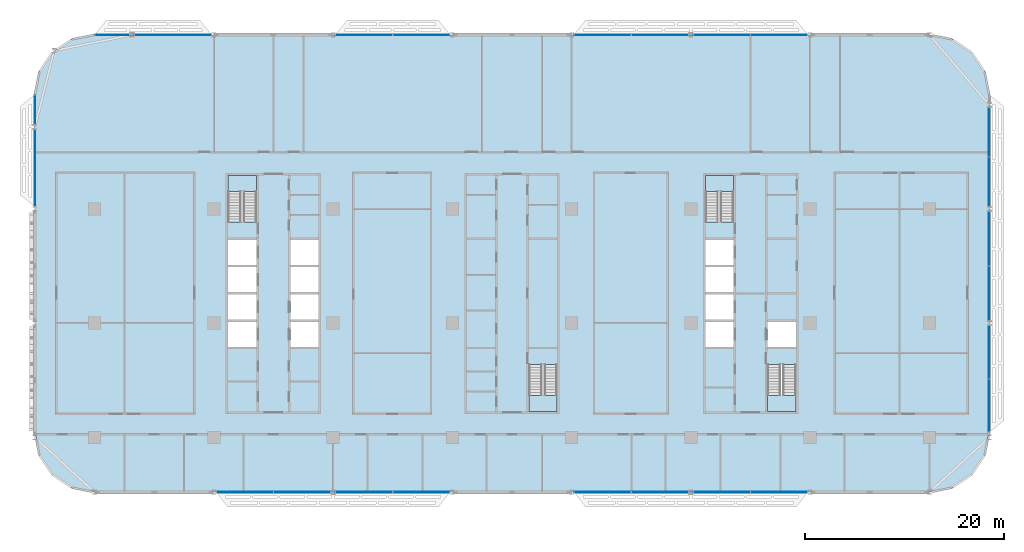
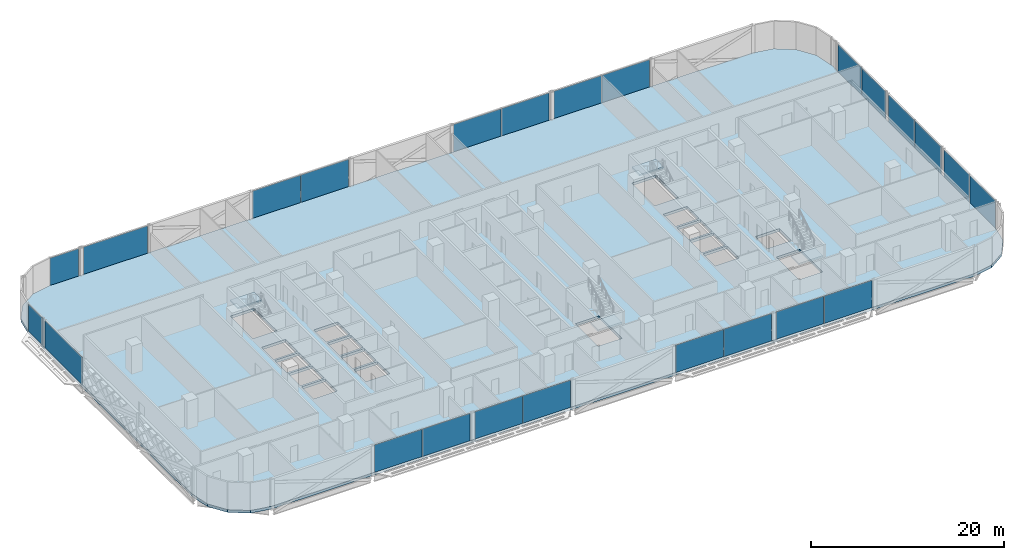
# One storey, part 11 of 29: 24 plates, 5 slabs, 18 elements without a shape of their own.
"""IFC4 building model written with IfcOpenShell, lengths in metres."""

from ifc_helpers import new_model, si_unit, direction, frame, origin, origin_2d, place, context, subcontext, project, spatial, polyline, rectangle, outline, extrude, material, layer, layer_set, type_object, element, aggregate, save


model = new_model("IFC4")

# Units and contexts
model_context = context("Model", 3, precision=1e-05, world=origin(), true_north=direction((0.0, 1.0)))
body_context = subcontext(model_context, "Body", "Model", "MODEL_VIEW")
ifc_project = project(units=[si_unit("LENGTHUNIT", "METRE"), si_unit("AREAUNIT", "SQUARE_METRE"), si_unit("VOLUMEUNIT", "CUBIC_METRE"), si_unit("PLANEANGLEUNIT", "RADIAN"), si_unit("MASSUNIT", "GRAM", prefix="KILO")], contexts=[model_context])

# Site, building, storey
site_placement = place(None, origin())
site = spatial("IfcSite", under=ifc_project, at=site_placement, CompositionType="ELEMENT")
building_placement = place(site_placement, origin())
building = spatial("IfcBuilding", under=site, at=building_placement, Name="Mahtab Terrace Research Tower", CompositionType="ELEMENT")
storey_placement = place(building_placement, frame((0.0, 0.0, 150.699951171875)))
storey = spatial("IfcBuildingStorey", under=building, at=storey_placement, Name="L35", CompositionType="ELEMENT", Elevation=150.699951171875)

# Stair, slab
ifc_material_1 = material(Name="Exit stair half-turn")
stair_type = type_object("IfcStairType", Name="Exit stair half-turn", PredefinedType="HALF_TURN_STAIR", material=ifc_material_1)
stair_1_placement = place(storey_placement, origin())
stair_1 = element("IfcStair", 1, at=stair_1_placement, inside=storey, type_object=stair_type, Name="L35 Protected exit stair ST1", PredefinedType="HALF_TURN_STAIR")
ifc_material_2 = material(Name="Concrete C40/50", Category="concrete")
ifc_layer_1 = layer(ifc_material_2, 0.199951171875)
ifc_layer_set_1 = layer_set([ifc_layer_1], Name="Exit stair landing 200")
slab_type_1 = type_object("IfcSlabType", Name="Exit stair landing 200", PredefinedType="LANDING", material=ifc_layer_set_1)
slab_1_placement = place(storey_placement, frame((0.0, 0.0, 1.85009765625)))
slab_1 = element("IfcSlab", 2, at=slab_1_placement, type_object=slab_type_1, Name="ST1 landing 1", PredefinedType="LANDING", context=body_context, shape_type="SweptSolid", body=[
    extrude(outline(polyline([(-25.699951171875, 13.2548828125), (-25.699951171875, 14.875), (-28.550048828125, 14.875), (-28.550048828125, 13.2548828125), (-25.699951171875, 13.2548828125)])), origin(), (0.0, 0.0, 1.0), 0.199951171875),
])
aggregate(stair_1, [slab_1])

stair_2_placement = place(storey_placement, origin())
stair_2 = element("IfcStair", 3, at=stair_2_placement, inside=storey, type_object=stair_type, Name="L35 Protected exit stair ST2", PredefinedType="HALF_TURN_STAIR")
slab_2_placement = place(storey_placement, frame((0.0, 0.0, 1.85009765625)))
slab_2 = element("IfcSlab", 4, at=slab_2_placement, type_object=slab_type_1, Name="ST2 landing 1", PredefinedType="LANDING", context=body_context, shape_type="SweptSolid", body=[
    extrude(outline(polyline([(1.699951171875, -7.2548828125), (1.699951171875, -8.875), (4.550048828125, -8.875), (4.550048828125, -7.2548828125), (1.699951171875, -7.2548828125)])), origin(), (0.0, 0.0, 1.0), 0.199951171875),
])
aggregate(stair_2, [slab_2])

stair_3_placement = place(storey_placement, origin())
stair_3 = element("IfcStair", 5, at=stair_3_placement, inside=storey, type_object=stair_type, Name="L35 Protected exit stair ST3", PredefinedType="HALF_TURN_STAIR")
slab_3_placement = place(storey_placement, frame((0.0, 0.0, 1.85009765625)))
slab_3 = element("IfcSlab", 6, at=slab_3_placement, type_object=slab_type_1, Name="ST3 landing 1", PredefinedType="LANDING", context=body_context, shape_type="SweptSolid", body=[
    extrude(outline(polyline([(22.300048828125, 13.2548828125), (22.300048828125, 14.875), (19.449951171875, 14.875), (19.449951171875, 13.2548828125), (22.300048828125, 13.2548828125)])), origin(), (0.0, 0.0, 1.0), 0.199951171875),
])
aggregate(stair_3, [slab_3])

stair_4_placement = place(storey_placement, origin())
stair_4 = element("IfcStair", 7, at=stair_4_placement, inside=storey, type_object=stair_type, Name="L35 Protected exit stair ST4", PredefinedType="HALF_TURN_STAIR")
slab_4_placement = place(storey_placement, frame((0.0, 0.0, 1.85009765625)))
slab_4 = element("IfcSlab", 8, at=slab_4_placement, type_object=slab_type_1, Name="ST4 landing 1", PredefinedType="LANDING", context=body_context, shape_type="SweptSolid", body=[
    extrude(outline(polyline([(25.699951171875, -7.2548828125), (25.699951171875, -8.875), (28.550048828125, -8.875), (28.550048828125, -7.2548828125), (25.699951171875, -7.2548828125)])), origin(), (0.0, 0.0, 1.0), 0.199951171875),
])
aggregate(stair_4, [slab_4])

# Curtain wall, plates
ifc_material_3 = material(Name="Laboratory ribbon curtain wall")
curtain_wall_type = type_object("IfcCurtainWallType", Name="Laboratory ribbon curtain wall", PredefinedType="NOTDEFINED", material=ifc_material_3)
curtain_wall_1_placement = place(storey_placement, origin())
curtain_wall_1 = element("IfcCurtainWall", 9, at=curtain_wall_1_placement, inside=storey, type_object=curtain_wall_type, Name="EN.L35.3.4", PredefinedType="NOTDEFINED")
ifc_material_4 = material(Name="Dark glazing", Category="glass")
ifc_layer_2 = layer(ifc_material_4, 0.031982421875)
ifc_layer_set_2 = layer_set([ifc_layer_2], Name="Laboratory ribbon curtain wall glazing panel")
plate_type = type_object("IfcPlateType", Name="Laboratory ribbon curtain wall glazing panel", PredefinedType="CURTAIN_PANEL", material=ifc_layer_set_2)
plate_1_placement = place(storey_placement, frame((26.874755859375, 29.0, 0.0), z_axis=(0.0, 0.0, 1.0), x_axis=(-1.0, 0.0, 0.0)))
plate_1 = element("IfcPlate", 10, at=plate_1_placement, type_object=plate_type, Name="CWL-4 panel 1", PredefinedType="CURTAIN_PANEL", context=body_context, shape_type="SweptSolid", body=[
    extrude(rectangle(XDim=5.6845703125, YDim=0.031982421875, at=origin_2d()), origin(), (0.0, 0.0, 1.0), 3.449951171875),
])
plate_2_placement = place(storey_placement, frame((21.125244140625, 29.0, 0.0), z_axis=(0.0, 0.0, 1.0), x_axis=(-1.0, 0.0, 0.0)))
plate_2 = element("IfcPlate", 11, at=plate_2_placement, type_object=plate_type, Name="CWL-4 panel 2", PredefinedType="CURTAIN_PANEL", context=body_context, shape_type="SweptSolid", body=[
    extrude(rectangle(XDim=5.6845703125, YDim=0.031982421875, at=origin_2d()), origin(), (0.0, 0.0, 1.0), 3.449951171875),
])
aggregate(curtain_wall_1, [plate_1, plate_2])

curtain_wall_2_placement = place(storey_placement, origin())
curtain_wall_2 = element("IfcCurtainWall", 12, at=curtain_wall_2_placement, inside=storey, type_object=curtain_wall_type, Name="EN.L35.3.5", PredefinedType="NOTDEFINED")
plate_3_placement = place(storey_placement, frame((14.874755859375, 29.0, 0.0), z_axis=(0.0, 0.0, 1.0), x_axis=(-1.0, 0.0, 0.0)))
plate_3 = element("IfcPlate", 13, at=plate_3_placement, type_object=plate_type, Name="CWL-4 panel 1", PredefinedType="CURTAIN_PANEL", context=body_context, shape_type="SweptSolid", body=[
    extrude(rectangle(XDim=5.6845703125, YDim=0.031982421875, at=origin_2d()), origin(), (0.0, 0.0, 1.0), 3.449951171875),
])
plate_4_placement = place(storey_placement, frame((9.125244140625, 29.0, 0.0), z_axis=(0.0, 0.0, 1.0), x_axis=(-1.0, 0.0, 0.0)))
plate_4 = element("IfcPlate", 14, at=plate_4_placement, type_object=plate_type, Name="CWL-4 panel 2", PredefinedType="CURTAIN_PANEL", context=body_context, shape_type="SweptSolid", body=[
    extrude(rectangle(XDim=5.6845703125, YDim=0.031982421875, at=origin_2d()), origin(), (0.0, 0.0, 1.0), 3.449951171875),
])
aggregate(curtain_wall_2, [plate_3, plate_4])

curtain_wall_3_placement = place(storey_placement, origin())
curtain_wall_3 = element("IfcCurtainWall", 15, at=curtain_wall_3_placement, inside=storey, type_object=curtain_wall_type, Name="EN.L35.3.7", PredefinedType="NOTDEFINED")
plate_5_placement = place(storey_placement, frame((-9.125244140625, 29.0, 0.0), z_axis=(0.0, 0.0, 1.0), x_axis=(-1.0, 0.0, 0.0)))
plate_5 = element("IfcPlate", 16, at=plate_5_placement, type_object=plate_type, Name="CWL-4 panel 1", PredefinedType="CURTAIN_PANEL", context=body_context, shape_type="SweptSolid", body=[
    extrude(rectangle(XDim=5.6845703125, YDim=0.031982421875, at=origin_2d()), origin(), (0.0, 0.0, 1.0), 3.449951171875),
])
plate_6_placement = place(storey_placement, frame((-14.874755859375, 29.0, 0.0), z_axis=(0.0, 0.0, 1.0), x_axis=(-1.0, 0.0, 0.0)))
plate_6 = element("IfcPlate", 17, at=plate_6_placement, type_object=plate_type, Name="CWL-4 panel 2", PredefinedType="CURTAIN_PANEL", context=body_context, shape_type="SweptSolid", body=[
    extrude(rectangle(XDim=5.6845703125, YDim=0.031982421875, at=origin_2d()), origin(), (0.0, 0.0, 1.0), 3.449951171875),
])
aggregate(curtain_wall_3, [plate_5, plate_6])

# Curtain wall, plate
curtain_wall_4_placement = place(storey_placement, origin())
curtain_wall_4 = element("IfcCurtainWall", 18, at=curtain_wall_4_placement, inside=storey, type_object=curtain_wall_type, Name="EN.L35.3.9", PredefinedType="NOTDEFINED")
plate_7_placement = place(storey_placement, frame((-34.115478515625, 29.0, 0.0), z_axis=(0.0, 0.0, 1.0), x_axis=(-1.0, 0.0, 0.0)))
plate_7 = element("IfcPlate", 19, at=plate_7_placement, type_object=plate_type, Name="CWL-4 panel 1", PredefinedType="CURTAIN_PANEL", context=body_context, shape_type="SweptSolid", body=[
    extrude(rectangle(XDim=7.6650390625, YDim=0.031982421875, at=origin_2d()), origin(), (0.0, 0.0, 1.0), 3.449951171875),
])
aggregate(curtain_wall_4, [plate_7])

curtain_wall_5_placement = place(storey_placement, origin())
curtain_wall_5 = element("IfcCurtainWall", 20, at=curtain_wall_5_placement, inside=storey, type_object=curtain_wall_type, Name="EN.L35.3.10", PredefinedType="NOTDEFINED")
plate_8_placement = place(storey_placement, frame((-40.224609375, 29.0, 0.0), z_axis=(0.0, 0.0, 1.0), x_axis=(-1.0, 0.0, 0.0)))
plate_8 = element("IfcPlate", 21, at=plate_8_placement, type_object=plate_type, Name="CWL-4 panel 1", PredefinedType="CURTAIN_PANEL", context=body_context, shape_type="SweptSolid", body=[
    extrude(rectangle(XDim=3.4208984375, YDim=0.031982421875, at=origin_2d()), origin(), (0.0, 0.0, 1.0), 3.449951171875),
])
aggregate(curtain_wall_5, [plate_8])

curtain_wall_6_placement = place(storey_placement, origin())
curtain_wall_6 = element("IfcCurtainWall", 22, at=curtain_wall_6_placement, inside=storey, type_object=curtain_wall_type, Name="EN.L35.8.15", PredefinedType="NOTDEFINED")
plate_9_placement = place(storey_placement, frame((-48.0, 21.474609375, 0.0), z_axis=(0.0, 0.0, 1.0), x_axis=(0.0, -1.0, 0.0)))
plate_9 = element("IfcPlate", 23, at=plate_9_placement, type_object=plate_type, Name="CWL-4 panel 1", PredefinedType="CURTAIN_PANEL", context=body_context, shape_type="SweptSolid", body=[
    extrude(rectangle(XDim=2.9208984375, YDim=0.031982421875, at=origin_2d()), origin(), (0.0, 0.0, 1.0), 3.449951171875),
])
aggregate(curtain_wall_6, [plate_9])

curtain_wall_7_placement = place(storey_placement, origin())
curtain_wall_7 = element("IfcCurtainWall", 24, at=curtain_wall_7_placement, inside=storey, type_object=curtain_wall_type, Name="EN.L35.8.16", PredefinedType="NOTDEFINED")
plate_10_placement = place(storey_placement, frame((-48.0, 15.615478515625, 0.0), z_axis=(0.0, 0.0, 1.0), x_axis=(0.0, -1.0, 0.0)))
plate_10 = element("IfcPlate", 25, at=plate_10_placement, type_object=plate_type, Name="CWL-4 panel 1", PredefinedType="CURTAIN_PANEL", context=body_context, shape_type="SweptSolid", body=[
    extrude(rectangle(XDim=7.6650390625, YDim=0.031982421875, at=origin_2d()), origin(), (0.0, 0.0, 1.0), 3.449951171875),
])
aggregate(curtain_wall_7, [plate_10])

# Curtain wall, plates
curtain_wall_8_placement = place(storey_placement, origin())
curtain_wall_8 = element("IfcCurtainWall", 26, at=curtain_wall_8_placement, inside=storey, type_object=curtain_wall_type, Name="EN.L35.13.25", PredefinedType="NOTDEFINED")
plate_11_placement = place(storey_placement, frame((-26.874755859375, -17.0, 0.0), z_axis=(0.0, 0.0, 1.0), x_axis=(1.0, 0.0, 0.0)))
plate_11 = element("IfcPlate", 27, at=plate_11_placement, type_object=plate_type, Name="CWL-4 panel 1", PredefinedType="CURTAIN_PANEL", context=body_context, shape_type="SweptSolid", body=[
    extrude(rectangle(XDim=5.6845703125, YDim=0.031982421875, at=origin_2d()), origin(), (0.0, 0.0, 1.0), 3.449951171875),
])
plate_12_placement = place(storey_placement, frame((-21.125244140625, -17.0, 0.0), z_axis=(0.0, 0.0, 1.0), x_axis=(1.0, 0.0, 0.0)))
plate_12 = element("IfcPlate", 28, at=plate_12_placement, type_object=plate_type, Name="CWL-4 panel 2", PredefinedType="CURTAIN_PANEL", context=body_context, shape_type="SweptSolid", body=[
    extrude(rectangle(XDim=5.6845703125, YDim=0.031982421875, at=origin_2d()), origin(), (0.0, 0.0, 1.0), 3.449951171875),
])
aggregate(curtain_wall_8, [plate_11, plate_12])

curtain_wall_9_placement = place(storey_placement, origin())
curtain_wall_9 = element("IfcCurtainWall", 29, at=curtain_wall_9_placement, inside=storey, type_object=curtain_wall_type, Name="EN.L35.13.26", PredefinedType="NOTDEFINED")
plate_13_placement = place(storey_placement, frame((-14.874755859375, -17.0, 0.0), z_axis=(0.0, 0.0, 1.0), x_axis=(1.0, 0.0, 0.0)))
plate_13 = element("IfcPlate", 30, at=plate_13_placement, type_object=plate_type, Name="CWL-4 panel 1", PredefinedType="CURTAIN_PANEL", context=body_context, shape_type="SweptSolid", body=[
    extrude(rectangle(XDim=5.6845703125, YDim=0.031982421875, at=origin_2d()), origin(), (0.0, 0.0, 1.0), 3.449951171875),
])
plate_14_placement = place(storey_placement, frame((-9.125244140625, -17.0, 0.0), z_axis=(0.0, 0.0, 1.0), x_axis=(1.0, 0.0, 0.0)))
plate_14 = element("IfcPlate", 31, at=plate_14_placement, type_object=plate_type, Name="CWL-4 panel 2", PredefinedType="CURTAIN_PANEL", context=body_context, shape_type="SweptSolid", body=[
    extrude(rectangle(XDim=5.6845703125, YDim=0.031982421875, at=origin_2d()), origin(), (0.0, 0.0, 1.0), 3.449951171875),
])
aggregate(curtain_wall_9, [plate_13, plate_14])

curtain_wall_10_placement = place(storey_placement, origin())
curtain_wall_10 = element("IfcCurtainWall", 32, at=curtain_wall_10_placement, inside=storey, type_object=curtain_wall_type, Name="EN.L35.13.28", PredefinedType="NOTDEFINED")
plate_15_placement = place(storey_placement, frame((9.125244140625, -17.0, 0.0), z_axis=(0.0, 0.0, 1.0), x_axis=(1.0, 0.0, 0.0)))
plate_15 = element("IfcPlate", 33, at=plate_15_placement, type_object=plate_type, Name="CWL-4 panel 1", PredefinedType="CURTAIN_PANEL", context=body_context, shape_type="SweptSolid", body=[
    extrude(rectangle(XDim=5.6845703125, YDim=0.031982421875, at=origin_2d()), origin(), (0.0, 0.0, 1.0), 3.449951171875),
])
plate_16_placement = place(storey_placement, frame((14.874755859375, -17.0, 0.0), z_axis=(0.0, 0.0, 1.0), x_axis=(1.0, 0.0, 0.0)))
plate_16 = element("IfcPlate", 34, at=plate_16_placement, type_object=plate_type, Name="CWL-4 panel 2", PredefinedType="CURTAIN_PANEL", context=body_context, shape_type="SweptSolid", body=[
    extrude(rectangle(XDim=5.6845703125, YDim=0.031982421875, at=origin_2d()), origin(), (0.0, 0.0, 1.0), 3.449951171875),
])
aggregate(curtain_wall_10, [plate_15, plate_16])

curtain_wall_11_placement = place(storey_placement, origin())
curtain_wall_11 = element("IfcCurtainWall", 35, at=curtain_wall_11_placement, inside=storey, type_object=curtain_wall_type, Name="EN.L35.13.29", PredefinedType="NOTDEFINED")
plate_17_placement = place(storey_placement, frame((21.125244140625, -17.0, 0.0), z_axis=(0.0, 0.0, 1.0), x_axis=(1.0, 0.0, 0.0)))
plate_17 = element("IfcPlate", 36, at=plate_17_placement, type_object=plate_type, Name="CWL-4 panel 1", PredefinedType="CURTAIN_PANEL", context=body_context, shape_type="SweptSolid", body=[
    extrude(rectangle(XDim=5.6845703125, YDim=0.031982421875, at=origin_2d()), origin(), (0.0, 0.0, 1.0), 3.449951171875),
])
plate_18_placement = place(storey_placement, frame((26.874755859375, -17.0, 0.0), z_axis=(0.0, 0.0, 1.0), x_axis=(1.0, 0.0, 0.0)))
plate_18 = element("IfcPlate", 37, at=plate_18_placement, type_object=plate_type, Name="CWL-4 panel 2", PredefinedType="CURTAIN_PANEL", context=body_context, shape_type="SweptSolid", body=[
    extrude(rectangle(XDim=5.6845703125, YDim=0.031982421875, at=origin_2d()), origin(), (0.0, 0.0, 1.0), 3.449951171875),
])
aggregate(curtain_wall_11, [plate_17, plate_18])

curtain_wall_12_placement = place(storey_placement, origin())
curtain_wall_12 = element("IfcCurtainWall", 38, at=curtain_wall_12_placement, inside=storey, type_object=curtain_wall_type, Name="EN.L35.18.36", PredefinedType="NOTDEFINED")
plate_19_placement = place(storey_placement, frame((48.0, -8.288330078125, 0.0), z_axis=(0.0, 0.0, 1.0), x_axis=(0.0, 1.0, 0.0)))
plate_19 = element("IfcPlate", 39, at=plate_19_placement, type_object=plate_type, Name="CWL-4 panel 1", PredefinedType="CURTAIN_PANEL", context=body_context, shape_type="SweptSolid", body=[
    extrude(rectangle(XDim=5.29345703125, YDim=0.031982421875, at=origin_2d()), origin(), (0.0, 0.0, 1.0), 3.449951171875),
])
plate_20_placement = place(storey_placement, frame((48.0, -2.9296875, 0.0), z_axis=(0.0, 0.0, 1.0), x_axis=(0.0, 1.0, 0.0)))
plate_20 = element("IfcPlate", 40, at=plate_20_placement, type_object=plate_type, Name="CWL-4 panel 2", PredefinedType="CURTAIN_PANEL", context=body_context, shape_type="SweptSolid", body=[
    extrude(rectangle(XDim=5.29345703125, YDim=0.031982421875, at=origin_2d()), origin(), (0.0, 0.0, 1.0), 3.449951171875),
])
aggregate(curtain_wall_12, [plate_19, plate_20])

curtain_wall_13_placement = place(storey_placement, origin())
curtain_wall_13 = element("IfcCurtainWall", 41, at=curtain_wall_13_placement, inside=storey, type_object=curtain_wall_type, Name="EN.L35.18.37", PredefinedType="NOTDEFINED")
plate_21_placement = place(storey_placement, frame((48.0, 3.000244140625, 0.0), z_axis=(0.0, 0.0, 1.0), x_axis=(0.0, 1.0, 0.0)))
plate_21 = element("IfcPlate", 42, at=plate_21_placement, type_object=plate_type, Name="CWL-4 panel 1", PredefinedType="CURTAIN_PANEL", context=body_context, shape_type="SweptSolid", body=[
    extrude(rectangle(XDim=5.4345703125, YDim=0.031982421875, at=origin_2d()), origin(), (0.0, 0.0, 1.0), 3.449951171875),
])
plate_22_placement = place(storey_placement, frame((48.0, 8.499755859375, 0.0), z_axis=(0.0, 0.0, 1.0), x_axis=(0.0, 1.0, 0.0)))
plate_22 = element("IfcPlate", 43, at=plate_22_placement, type_object=plate_type, Name="CWL-4 panel 2", PredefinedType="CURTAIN_PANEL", context=body_context, shape_type="SweptSolid", body=[
    extrude(rectangle(XDim=5.4345703125, YDim=0.031982421875, at=origin_2d()), origin(), (0.0, 0.0, 1.0), 3.449951171875),
])
aggregate(curtain_wall_13, [plate_21, plate_22])

curtain_wall_14_placement = place(storey_placement, origin())
curtain_wall_14 = element("IfcCurtainWall", 44, at=curtain_wall_14_placement, inside=storey, type_object=curtain_wall_type, Name="EN.L35.18.38", PredefinedType="NOTDEFINED")
plate_23_placement = place(storey_placement, frame((48.0, 14.24072265625, 0.0), z_axis=(0.0, 0.0, 1.0), x_axis=(0.0, 1.0, 0.0)))
plate_23 = element("IfcPlate", 45, at=plate_23_placement, type_object=plate_type, Name="CWL-4 panel 1", PredefinedType="CURTAIN_PANEL", context=body_context, shape_type="SweptSolid", body=[
    extrude(rectangle(XDim=4.91552734375, YDim=0.031982421875, at=origin_2d()), origin(), (0.0, 0.0, 1.0), 3.449951171875),
])
plate_24_placement = place(storey_placement, frame((48.0, 19.22119140625, 0.0), z_axis=(0.0, 0.0, 1.0), x_axis=(0.0, 1.0, 0.0)))
plate_24 = element("IfcPlate", 46, at=plate_24_placement, type_object=plate_type, Name="CWL-4 panel 2", PredefinedType="CURTAIN_PANEL", context=body_context, shape_type="SweptSolid", body=[
    extrude(rectangle(XDim=4.91552734375, YDim=0.031982421875, at=origin_2d()), origin(), (0.0, 0.0, 1.0), 3.449951171875),
])
aggregate(curtain_wall_14, [plate_23, plate_24])

# Slab
ifc_layer_3 = layer(ifc_material_2, 0.340087890625)
ifc_layer_set_3 = layer_set([ifc_layer_3], Name="PT flat slab 340")
slab_type_2 = type_object("IfcSlabType", Name="PT flat slab 340", PredefinedType="FLOOR", material=ifc_layer_set_3)
slab_5_placement = place(storey_placement, frame((0.0, 0.0, -0.33984375)))
element("IfcSlab", 47, at=slab_5_placement, inside=storey, type_object=slab_type_2, Name="Floor slab L35", PredefinedType="FLOOR", context=body_context, shape_type="SweptSolid", body=[
    extrude(outline(polyline([(47.54296875, 25.2958984375), (46.242919921875, 27.242919921875), (44.2958984375, 28.54296875), (42.0, 29.0), (-42.0, 29.0), (-44.2958984375, 28.54296875), (-46.242919921875, 27.242919921875), (-47.54296875, 25.2958984375), (-48.0, 23.0), (-48.0, -11.0), (-47.54296875, -13.2958984375), (-46.242919921875, -15.242919921875), (-44.2958984375, -16.54296875), (-42.0, -17.0), (42.0, -17.0), (44.2958984375, -16.54296875), (46.242919921875, -15.242919921875), (47.54296875, -13.2958984375), (48.0, -11.0), (48.0, 23.0), (47.54296875, 25.2958984375)]), holes=[polyline([(-28.550048828125, -2.375), (-28.550048828125, 0.125), (-25.699951171875, 0.125), (-25.699951171875, -2.375), (-28.550048828125, -2.375)]), polyline([(-22.300048828125, -2.375), (-22.300048828125, 0.125), (-19.449951171875, 0.125), (-19.449951171875, -2.375), (-22.300048828125, -2.375)]), polyline([(-28.550048828125, 0.375), (-28.550048828125, 2.875), (-25.699951171875, 2.875), (-25.699951171875, 0.375), (-28.550048828125, 0.375)]), polyline([(-22.300048828125, 0.375), (-22.300048828125, 2.875), (-19.449951171875, 2.875), (-19.449951171875, 0.375), (-22.300048828125, 0.375)]), polyline([(-28.550048828125, 3.125), (-28.550048828125, 5.625), (-25.699951171875, 5.625), (-25.699951171875, 3.125), (-28.550048828125, 3.125)]), polyline([(-22.300048828125, 3.125), (-22.300048828125, 5.625), (-19.449951171875, 5.625), (-19.449951171875, 3.125), (-22.300048828125, 3.125)]), polyline([(-28.550048828125, 5.875), (-28.550048828125, 8.375), (-25.699951171875, 8.375), (-25.699951171875, 5.875), (-28.550048828125, 5.875)]), polyline([(-22.300048828125, 5.875), (-22.300048828125, 8.375), (-19.449951171875, 8.375), (-19.449951171875, 5.875), (-22.300048828125, 5.875)]), polyline([(-28.550048828125, 10.177001953125), (-28.550048828125, 14.875), (-25.699951171875, 14.875), (-25.699951171875, 10.177001953125), (-28.550048828125, 10.177001953125)]), polyline([(1.699951171875, -8.875), (1.699951171875, -4.177001953125), (4.550048828125, -4.177001953125), (4.550048828125, -8.875), (1.699951171875, -8.875)]), polyline([(25.699951171875, -8.875), (25.699951171875, -4.177001953125), (28.550048828125, -4.177001953125), (28.550048828125, -8.875), (25.699951171875, -8.875)]), polyline([(19.449951171875, -2.375), (19.449951171875, 0.125), (22.300048828125, 0.125), (22.300048828125, -2.375), (19.449951171875, -2.375)]), polyline([(25.699951171875, -2.375), (25.699951171875, 0.125), (28.550048828125, 0.125), (28.550048828125, -2.375), (25.699951171875, -2.375)]), polyline([(19.449951171875, 0.375), (19.449951171875, 2.875), (22.300048828125, 2.875), (22.300048828125, 0.375), (19.449951171875, 0.375)]), polyline([(19.449951171875, 3.125), (19.449951171875, 5.625), (22.300048828125, 5.625), (22.300048828125, 3.125), (19.449951171875, 3.125)]), polyline([(19.449951171875, 8.375), (22.300048828125, 8.375), (22.300048828125, 5.875), (19.449951171875, 5.875), (19.449951171875, 8.375)]), polyline([(19.449951171875, 14.875), (22.300048828125, 14.875), (22.300048828125, 10.177001953125), (19.449951171875, 10.177001953125), (19.449951171875, 14.875)])]), origin(), (0.0, 0.0, 1.0), 0.33984375),
])

save(model, "model.ifc")
